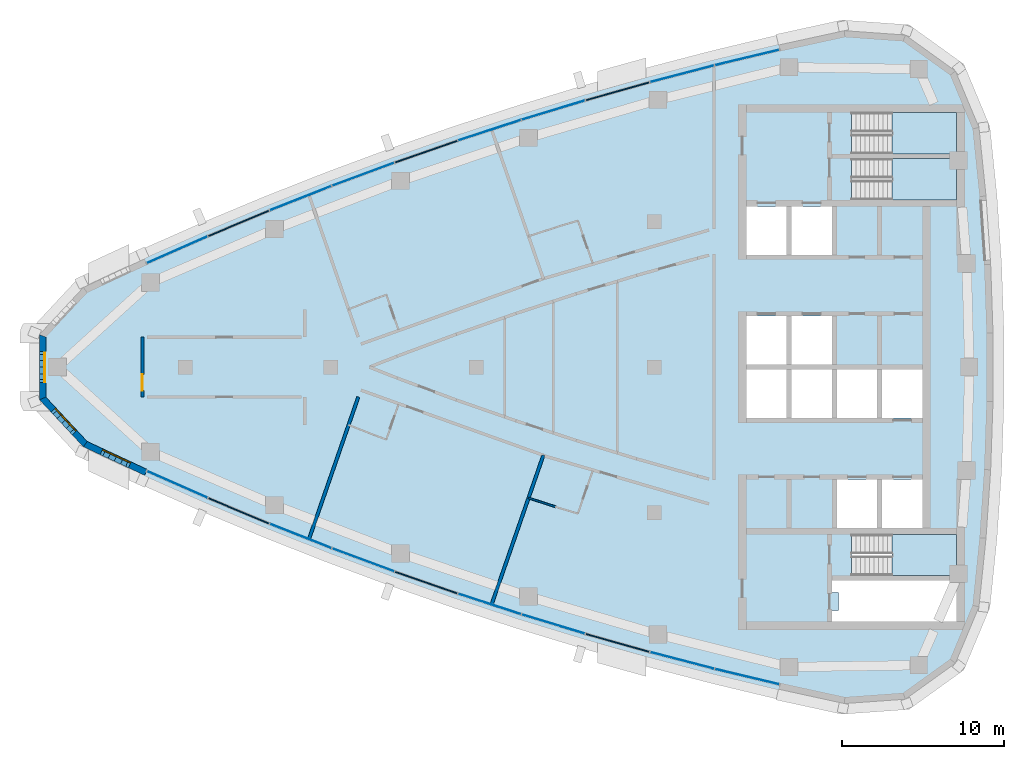
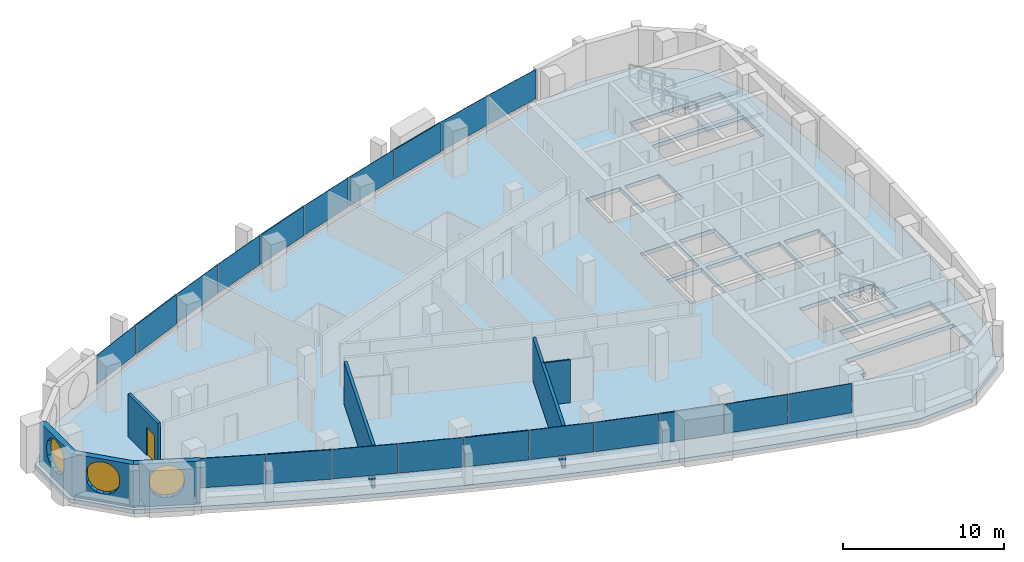
# One storey, part 6 of 13: 20 plates, 7 walls, 4 slabs, 3 windows, 1 door, 5 openings, 13 elements without a shape of their own.
"""IFC4 building model written with IfcOpenShell, lengths in metres."""

from ifc_helpers import new_model, si_unit, direction, frame, frame_2d, origin, origin_2d, place, context, subcontext, project, spatial, polyline, rectangle, outline, extrude, material, layer, layer_set, type_object, element, fill, aggregate, save


model = new_model("IFC4")

# Units and contexts
model_context = context("Model", 3, precision=1e-05, world=origin(), true_north=direction((0.0, 1.0)))
body_context = subcontext(model_context, "Body", "Model", "MODEL_VIEW")
ifc_project = project(units=[si_unit("LENGTHUNIT", "METRE"), si_unit("AREAUNIT", "SQUARE_METRE"), si_unit("VOLUMEUNIT", "CUBIC_METRE"), si_unit("PLANEANGLEUNIT", "RADIAN"), si_unit("MASSUNIT", "GRAM", prefix="KILO")], contexts=[model_context])

# Site, building, storey
site_placement = place(None, origin())
site = spatial("IfcSite", under=ifc_project, at=site_placement, CompositionType="ELEMENT")
building_placement = place(site_placement, origin())
building = spatial("IfcBuilding", under=site, at=building_placement, Name="Ostrand Prow Hotel Tower", CompositionType="ELEMENT")
storey_placement = place(building_placement, frame((0.0, 0.0, 282.10009765625)))
storey = spatial("IfcBuildingStorey", under=building, at=storey_placement, Name="L71", CompositionType="ELEMENT", Elevation=282.10009765625)

# Curtain wall, plate
ifc_material_1 = material(Name="Insulated glass in bronze anodised frame", Category="glass")
ifc_layer_1 = layer(ifc_material_1, 0.199951171875)
ifc_layer_set_1 = layer_set([ifc_layer_1], Name="Insulated glass in bronze anodised frame")
curtain_wall_type = type_object("IfcCurtainWallType", Name="Strip curtain wall, fritted glass over bronze spandrel", PredefinedType="NOTDEFINED", material=ifc_layer_set_1)
curtain_wall_1_placement = place(storey_placement, origin())
curtain_wall_1 = element("IfcCurtainWall", 1, at=curtain_wall_1_placement, inside=storey, type_object=curtain_wall_type, Name="CW1 run CWS1", PredefinedType="NOTDEFINED")
ifc_material_2 = material(Name="Ceramic-fritted glass", Category="glass")
ifc_layer_2 = layer(ifc_material_2, 0.031982421875)
ifc_layer_set_2 = layer_set([ifc_layer_2], Name="Ceramic-fritted glass")
plate_type_1 = type_object("IfcPlateType", Name="Dot-fritted ceramic glass unit 32 mm", PredefinedType="CURTAIN_PANEL", material=ifc_layer_set_2)
plate_1_placement = place(storey_placement, frame((15.493408203125, -7.259765625, 1.02001953125), z_axis=(0.0, 0.0, 1.0), x_axis=(0.914785615941, -0.403939694592, 0.0)))
plate_1 = element("IfcPlate", 2, at=plate_1_placement, type_object=plate_type_1, Name="CW1 PN-D panel 1.2", PredefinedType="CURTAIN_PANEL", context=body_context, shape_type="SweptSolid", body=[
    extrude(rectangle(XDim=4.079833984375, YDim=0.031982421875, at=origin_2d()), origin(), (0.0, 0.0, 1.0), 2.22998046875),
])

# Curtain wall, plates
curtain_wall_2_placement = place(storey_placement, origin())
curtain_wall_2 = element("IfcCurtainWall", 3, at=curtain_wall_2_placement, inside=storey, type_object=curtain_wall_type, Name="CW1 run CWS2", PredefinedType="NOTDEFINED")
plate_2_placement = place(storey_placement, frame((23.132568359375, -10.450927734375, 1.02001953125), z_axis=(0.0, 0.0, 1.0), x_axis=(0.930281895249, -0.366845465248, 0.0)))
plate_2 = element("IfcPlate", 4, at=plate_2_placement, type_object=plate_type_1, Name="CW1 PN-D panel 1.2", PredefinedType="CURTAIN_PANEL", context=body_context, shape_type="SweptSolid", body=[
    extrude(rectangle(XDim=4.079833984375, YDim=0.031982421875, at=origin_2d()), origin(), (0.0, 0.0, 1.0), 2.22998046875),
])
plate_3_placement = place(storey_placement, frame((26.99853515625, -11.930908203125, 1.02001953125), z_axis=(0.0, 0.0, 1.0), x_axis=(0.937468017947, -0.348071422738, 0.0)))
plate_3 = element("IfcPlate", 5, at=plate_3_placement, type_object=plate_type_1, Name="CW1 PN-D panel 2.2", PredefinedType="CURTAIN_PANEL", context=body_context, shape_type="SweptSolid", body=[
    extrude(rectangle(XDim=4.079833984375, YDim=0.031982421875, at=origin_2d()), origin(), (0.0, 0.0, 1.0), 2.22998046875),
])
aggregate(curtain_wall_2, [plate_2, plate_3])

# Curtain wall, plate
curtain_wall_3_placement = place(storey_placement, origin())
curtain_wall_3 = element("IfcCurtainWall", 6, at=curtain_wall_3_placement, inside=storey, type_object=curtain_wall_type, Name="CW1 run CWS3", PredefinedType="NOTDEFINED")
plate_4_placement = place(storey_placement, frame((34.81591796875, -14.65576171875, 1.02001953125), z_axis=(0.0, 0.0, 1.0), x_axis=(0.950700464612, -0.310110668289, 0.0)))
plate_4 = element("IfcPlate", 7, at=plate_4_placement, type_object=plate_type_1, Name="CW1 PN-D panel 2.2", PredefinedType="CURTAIN_PANEL", context=body_context, shape_type="SweptSolid", body=[
    extrude(rectangle(XDim=4.079833984375, YDim=0.031982421875, at=origin_2d()), origin(), (0.0, 0.0, 1.0), 2.22998046875),
])

curtain_wall_4_placement = place(storey_placement, origin())
curtain_wall_4 = element("IfcCurtainWall", 8, at=curtain_wall_4_placement, inside=storey, type_object=curtain_wall_type, Name="CW1 run CWS4", PredefinedType="NOTDEFINED")
plate_5_placement = place(storey_placement, frame((38.76416015625, -15.89990234375, 1.02001953125), z_axis=(0.0, 0.0, 1.0), x_axis=(0.956742015769, -0.290937648411, 0.0)))
plate_5 = element("IfcPlate", 9, at=plate_5_placement, type_object=plate_type_1, Name="CW1 PN-D panel 1.2", PredefinedType="CURTAIN_PANEL", context=body_context, shape_type="SweptSolid", body=[
    extrude(rectangle(XDim=4.079833984375, YDim=0.031982421875, at=origin_2d()), origin(), (0.0, 0.0, 1.0), 2.22998046875),
])

# Curtain wall, plates
curtain_wall_5_placement = place(storey_placement, origin())
curtain_wall_5 = element("IfcCurtainWall", 10, at=curtain_wall_5_placement, inside=storey, type_object=curtain_wall_type, Name="CW1 run CWS5", PredefinedType="NOTDEFINED")
plate_6_placement = place(storey_placement, frame((46.731689453125, -18.148681640625, 1.02001953125), z_axis=(0.0, 0.0, 1.0), x_axis=(0.967662519855, -0.252248384867, 0.0)))
plate_6 = element("IfcPlate", 11, at=plate_6_placement, type_object=plate_type_1, Name="CW1 PN-D panel 1.2", PredefinedType="CURTAIN_PANEL", context=body_context, shape_type="SweptSolid", body=[
    extrude(rectangle(XDim=4.079833984375, YDim=0.031982421875, at=origin_2d()), origin(), (0.0, 0.0, 1.0), 2.22998046875),
])
plate_7_placement = place(storey_placement, frame((50.74755859375, -19.152587890625, 1.02001953125), z_axis=(0.0, 0.0, 1.0), x_axis=(0.972537533869, -0.232746096028, 0.0)))
plate_7 = element("IfcPlate", 12, at=plate_7_placement, type_object=plate_type_1, Name="CW1 PN-D panel 2.2", PredefinedType="CURTAIN_PANEL", context=body_context, shape_type="SweptSolid", body=[
    extrude(rectangle(XDim=4.079833984375, YDim=0.031982421875, at=origin_2d()), origin(), (0.0, 0.0, 1.0), 2.22998046875),
])
aggregate(curtain_wall_5, [plate_6, plate_7])

curtain_wall_6_placement = place(storey_placement, origin())
curtain_wall_6 = element("IfcCurtainWall", 13, at=curtain_wall_6_placement, inside=storey, type_object=curtain_wall_type, Name="CW1 run CWN1", PredefinedType="NOTDEFINED")
plate_8_placement = place(storey_placement, frame((50.74755859375, 19.152587890625, 1.02001953125), z_axis=(0.0, 0.0, 1.0), x_axis=(-0.972537533869, -0.232746096028, 0.0)))
plate_8 = element("IfcPlate", 14, at=plate_8_placement, type_object=plate_type_1, Name="CW1 PN-D panel 1.2", PredefinedType="CURTAIN_PANEL", context=body_context, shape_type="SweptSolid", body=[
    extrude(rectangle(XDim=4.079833984375, YDim=0.031982421875, at=origin_2d()), origin(), (0.0, 0.0, 1.0), 2.22998046875),
])
plate_9_placement = place(storey_placement, frame((46.731689453125, 18.148681640625, 1.02001953125), z_axis=(0.0, 0.0, 1.0), x_axis=(-0.967662519855, -0.252248384867, 0.0)))
plate_9 = element("IfcPlate", 15, at=plate_9_placement, type_object=plate_type_1, Name="CW1 PN-D panel 2.2", PredefinedType="CURTAIN_PANEL", context=body_context, shape_type="SweptSolid", body=[
    extrude(rectangle(XDim=4.079833984375, YDim=0.031982421875, at=origin_2d()), origin(), (0.0, 0.0, 1.0), 2.22998046875),
])
aggregate(curtain_wall_6, [plate_8, plate_9])

# Curtain wall, plate
curtain_wall_7_placement = place(storey_placement, origin())
curtain_wall_7 = element("IfcCurtainWall", 16, at=curtain_wall_7_placement, inside=storey, type_object=curtain_wall_type, Name="CW1 run CWN2", PredefinedType="NOTDEFINED")
plate_10_placement = place(storey_placement, frame((38.76416015625, 15.89990234375, 1.02001953125), z_axis=(0.0, 0.0, 1.0), x_axis=(-0.956742015769, -0.290937648411, 0.0)))
plate_10 = element("IfcPlate", 17, at=plate_10_placement, type_object=plate_type_1, Name="CW1 PN-D panel 2.2", PredefinedType="CURTAIN_PANEL", context=body_context, shape_type="SweptSolid", body=[
    extrude(rectangle(XDim=4.079833984375, YDim=0.031982421875, at=origin_2d()), origin(), (0.0, 0.0, 1.0), 2.22998046875),
])

curtain_wall_8_placement = place(storey_placement, origin())
curtain_wall_8 = element("IfcCurtainWall", 18, at=curtain_wall_8_placement, inside=storey, type_object=curtain_wall_type, Name="CW1 run CWN3", PredefinedType="NOTDEFINED")
plate_11_placement = place(storey_placement, frame((34.81591796875, 14.65576171875, 1.02001953125), z_axis=(0.0, 0.0, 1.0), x_axis=(-0.950700464612, -0.310110668289, 0.0)))
plate_11 = element("IfcPlate", 19, at=plate_11_placement, type_object=plate_type_1, Name="CW1 PN-D panel 1.2", PredefinedType="CURTAIN_PANEL", context=body_context, shape_type="SweptSolid", body=[
    extrude(rectangle(XDim=4.079833984375, YDim=0.031982421875, at=origin_2d()), origin(), (0.0, 0.0, 1.0), 2.22998046875),
])

# Curtain wall, plates
curtain_wall_9_placement = place(storey_placement, origin())
curtain_wall_9 = element("IfcCurtainWall", 20, at=curtain_wall_9_placement, inside=storey, type_object=curtain_wall_type, Name="CW1 run CWN4", PredefinedType="NOTDEFINED")
plate_12_placement = place(storey_placement, frame((26.99853515625, 11.930908203125, 1.02001953125), z_axis=(0.0, 0.0, 1.0), x_axis=(-0.937468017947, -0.348071422738, 0.0)))
plate_12 = element("IfcPlate", 21, at=plate_12_placement, type_object=plate_type_1, Name="CW1 PN-D panel 1.2", PredefinedType="CURTAIN_PANEL", context=body_context, shape_type="SweptSolid", body=[
    extrude(rectangle(XDim=4.079833984375, YDim=0.031982421875, at=origin_2d()), origin(), (0.0, 0.0, 1.0), 2.22998046875),
])
plate_13_placement = place(storey_placement, frame((23.132568359375, 10.450927734375, 1.02001953125), z_axis=(0.0, 0.0, 1.0), x_axis=(-0.930281895249, -0.366845465248, 0.0)))
plate_13 = element("IfcPlate", 22, at=plate_13_placement, type_object=plate_type_1, Name="CW1 PN-D panel 2.2", PredefinedType="CURTAIN_PANEL", context=body_context, shape_type="SweptSolid", body=[
    extrude(rectangle(XDim=4.079833984375, YDim=0.031982421875, at=origin_2d()), origin(), (0.0, 0.0, 1.0), 2.22998046875),
])
aggregate(curtain_wall_9, [plate_12, plate_13])

# Curtain wall, plate
curtain_wall_10_placement = place(storey_placement, origin())
curtain_wall_10 = element("IfcCurtainWall", 23, at=curtain_wall_10_placement, inside=storey, type_object=curtain_wall_type, Name="CW1 run CWN5", PredefinedType="NOTDEFINED")
plate_14_placement = place(storey_placement, frame((15.493408203125, 7.259765625, 1.02001953125), z_axis=(0.0, 0.0, 1.0), x_axis=(-0.914785615941, -0.403939694592, 0.0)))
plate_14 = element("IfcPlate", 24, at=plate_14_placement, type_object=plate_type_1, Name="CW1 PN-D panel 2.2", PredefinedType="CURTAIN_PANEL", context=body_context, shape_type="SweptSolid", body=[
    extrude(rectangle(XDim=4.079833984375, YDim=0.031982421875, at=origin_2d()), origin(), (0.0, 0.0, 1.0), 2.22998046875),
])

# Plate
ifc_material_3 = material(Name="Fritted glass in bronze vent frame", Category="glass")
ifc_layer_3 = layer(ifc_material_3, 0.080078125)
ifc_layer_set_3 = layer_set([ifc_layer_3], Name="Fritted glass in bronze vent frame")
plate_type_2 = type_object("IfcPlateType", Name="Operable vent panel 80 mm", PredefinedType="CURTAIN_PANEL", material=ifc_layer_set_3)
plate_15_placement = place(storey_placement, frame((19.297119140625, -8.893798828125, 1.02001953125), z_axis=(0.0, 0.0, 1.0), x_axis=(0.922719840955, -0.385471263659, 0.0)))
plate_15 = element("IfcPlate", 25, at=plate_15_placement, type_object=plate_type_2, Name="CW1 PN-O2 panel 2.2", PredefinedType="CURTAIN_PANEL", context=body_context, shape_type="SweptSolid", body=[
    extrude(rectangle(XDim=4.079833984375, YDim=0.080078125, at=origin_2d()), origin(), (0.0, 0.0, 1.0), 2.22998046875),
])

aggregate(curtain_wall_1, [plate_1, plate_15])

plate_16_placement = place(storey_placement, frame((30.8935546875, -13.33251953125, 1.02001953125), z_axis=(0.0, 0.0, 1.0), x_axis=(0.944274730614, -0.329158370885, 0.0)))
plate_16 = element("IfcPlate", 26, at=plate_16_placement, type_object=plate_type_2, Name="CW1 PN-O2 panel 1.2", PredefinedType="CURTAIN_PANEL", context=body_context, shape_type="SweptSolid", body=[
    extrude(rectangle(XDim=4.079833984375, YDim=0.080078125, at=origin_2d()), origin(), (0.0, 0.0, 1.0), 2.22998046875),
])

aggregate(curtain_wall_3, [plate_16, plate_4])

plate_17_placement = place(storey_placement, frame((42.736572265625, -17.064453125, 1.02001953125), z_axis=(0.0, 0.0, 1.0), x_axis=(0.962396468548, -0.271648738865, 0.0)))
plate_17 = element("IfcPlate", 27, at=plate_17_placement, type_object=plate_type_2, Name="CW1 PN-O2 panel 2.2", PredefinedType="CURTAIN_PANEL", context=body_context, shape_type="SweptSolid", body=[
    extrude(rectangle(XDim=4.079833984375, YDim=0.080078125, at=origin_2d()), origin(), (0.0, 0.0, 1.0), 2.22998046875),
])

aggregate(curtain_wall_4, [plate_5, plate_17])

plate_18_placement = place(storey_placement, frame((42.736572265625, 17.064453125, 1.02001953125), z_axis=(0.0, 0.0, 1.0), x_axis=(-0.962396468548, -0.271648738865, 0.0)))
plate_18 = element("IfcPlate", 28, at=plate_18_placement, type_object=plate_type_2, Name="CW1 PN-O2 panel 1.2", PredefinedType="CURTAIN_PANEL", context=body_context, shape_type="SweptSolid", body=[
    extrude(rectangle(XDim=4.079833984375, YDim=0.080078125, at=origin_2d()), origin(), (0.0, 0.0, 1.0), 2.22998046875),
])

aggregate(curtain_wall_7, [plate_18, plate_10])

plate_19_placement = place(storey_placement, frame((30.8935546875, 13.33251953125, 1.02001953125), z_axis=(0.0, 0.0, 1.0), x_axis=(-0.944274730614, -0.329158370885, 0.0)))
plate_19 = element("IfcPlate", 29, at=plate_19_placement, type_object=plate_type_2, Name="CW1 PN-O2 panel 2.2", PredefinedType="CURTAIN_PANEL", context=body_context, shape_type="SweptSolid", body=[
    extrude(rectangle(XDim=4.079833984375, YDim=0.080078125, at=origin_2d()), origin(), (0.0, 0.0, 1.0), 2.22998046875),
])

aggregate(curtain_wall_8, [plate_11, plate_19])

plate_20_placement = place(storey_placement, frame((19.297119140625, 8.893798828125, 1.02001953125), z_axis=(0.0, 0.0, 1.0), x_axis=(-0.922719840955, -0.385471263659, 0.0)))
plate_20 = element("IfcPlate", 30, at=plate_20_placement, type_object=plate_type_2, Name="CW1 PN-O2 panel 1.2", PredefinedType="CURTAIN_PANEL", context=body_context, shape_type="SweptSolid", body=[
    extrude(rectangle(XDim=4.079833984375, YDim=0.080078125, at=origin_2d()), origin(), (0.0, 0.0, 1.0), 2.22998046875),
])

aggregate(curtain_wall_10, [plate_20, plate_14])

# Slab, opening
ifc_material_4 = material(Name="Concrete C40/50", Category="concrete")
ifc_layer_4 = layer(ifc_material_4, 0.300048828125)
ifc_layer_set_4 = layer_set([ifc_layer_4], Name="Concrete C40/50")
slab_type_1 = type_object("IfcSlabType", Name="PT flat plate 300 C40/50", PredefinedType="FLOOR", material=ifc_layer_set_4)
slab_1_placement = place(storey_placement, frame((0.0, 0.0, -0.300048828125)))
slab_1 = element("IfcSlab", 31, at=slab_1_placement, inside=storey, type_object=slab_type_1, Name="Floor slab L71-1", PredefinedType="FLOOR", context=body_context, shape_type="SweptSolid", body=[
    extrude(outline(polyline([(9.560791015625, 5.168212890625), (13.365478515625, 6.9404296875), (17.1630859375, 8.6171875), (20.993408203125, 10.21728515625), (24.855224609375, 11.740234375), (28.746826171875, 13.185302734375), (32.666748046875, 14.551513671875), (36.61328125, 15.8388671875), (40.5849609375, 17.046630859375), (44.580078125, 18.17431640625), (48.596923828125, 19.221435546875), (52.634033203125, 20.187744140625), (56.72265625, 21.07958984375), (60.634765625, 20.80029296875), (63.84765625, 18.49072265625), (65.35888671875, 14.87060546875), (65.796875, 10.611083984375), (66.0869140625, 6.37158203125), (66.23193359375, 2.124755859375), (66.23193359375, -2.124755859375), (66.0869140625, -6.37158203125), (65.796875, -10.611083984375), (65.35888671875, -14.87060546875), (63.84765625, -18.49072265625), (60.634765625, -20.80029296875), (56.72265625, -21.07958984375), (52.634033203125, -20.187744140625), (48.596923828125, -19.221435546875), (44.580078125, -18.17431640625), (40.5849609375, -17.046630859375), (36.61328125, -15.8388671875), (32.666748046875, -14.551513671875), (28.746826171875, -13.185302734375), (24.855224609375, -11.740234375), (20.993408203125, -10.21728515625), (17.1630859375, -8.6171875), (13.365478515625, -6.9404296875), (9.560791015625, -5.168212890625), (6.71484375, -2.112548828125), (6.71484375, 2.112548828125), (9.560791015625, 5.168212890625)]), holes=[polyline([(50.699951171875, 6.949951171875), (53.199951171875, 6.949951171875), (53.199951171875, 9.949951171875), (50.699951171875, 9.949951171875), (50.699951171875, 6.949951171875)]), polyline([(53.5, 6.949951171875), (56.0, 6.949951171875), (56.0, 9.949951171875), (53.5, 9.949951171875), (53.5, 6.949951171875)]), polyline([(50.699951171875, 0.14990234375), (53.199951171875, 0.14990234375), (53.199951171875, 3.14990234375), (50.699951171875, 3.14990234375), (50.699951171875, 0.14990234375)]), polyline([(53.5, 0.14990234375), (56.0, 0.14990234375), (56.0, 3.14990234375), (53.5, 3.14990234375), (53.5, 0.14990234375)]), polyline([(50.699951171875, -3.14990234375), (53.199951171875, -3.14990234375), (53.199951171875, -0.14990234375), (50.699951171875, -0.14990234375), (50.699951171875, -3.14990234375)]), polyline([(53.5, -3.14990234375), (56.0, -3.14990234375), (56.0, -0.14990234375), (53.5, -0.14990234375), (53.5, -3.14990234375)]), polyline([(56.300048828125, -3.14990234375), (58.800048828125, -3.14990234375), (58.800048828125, -0.14990234375), (56.300048828125, -0.14990234375), (56.300048828125, -3.14990234375)]), polyline([(59.10009765625, -3.14990234375), (61.60009765625, -3.14990234375), (61.60009765625, -0.14990234375), (59.10009765625, -0.14990234375), (59.10009765625, -3.14990234375)]), polyline([(56.300048828125, -9.949951171875), (58.800048828125, -9.949951171875), (58.800048828125, -6.949951171875), (56.300048828125, -6.949951171875), (56.300048828125, -9.949951171875)]), polyline([(59.10009765625, -9.949951171875), (61.60009765625, -9.949951171875), (61.60009765625, -6.949951171875), (59.10009765625, -6.949951171875), (59.10009765625, -9.949951171875)]), polyline([(57.200927734375, 10.35107421875), (57.200927734375, 12.89892578125), (63.718994140625, 12.89892578125), (63.718994140625, 10.35107421875), (57.200927734375, 10.35107421875)]), polyline([(57.200927734375, 13.200927734375), (57.200927734375, 15.7490234375), (63.718994140625, 15.7490234375), (63.718994140625, 13.200927734375), (57.200927734375, 13.200927734375)]), polyline([(57.200927734375, -12.89892578125), (57.200927734375, -10.35107421875), (63.718994140625, -10.35107421875), (63.718994140625, -12.89892578125), (57.200927734375, -12.89892578125)]), polyline([(56.0, -13.949951171875), (56.0, -13.199951171875), (63.719970703125, -13.199951171875), (63.719970703125, -15.75), (56.0, -15.75), (56.0, -15.050048828125), (56.39990234375, -15.050048828125), (56.39990234375, -13.949951171875), (56.0, -13.949951171875)])]), origin(), (0.0, 0.0, 1.0), 0.300048828125),
])
opening_1_placement = place(slab_1_placement, origin())
element("IfcOpeningElement", 32, at=opening_1_placement, cuts=slab_1, Name="Shaft opening 1", PredefinedType="OPENING", context=body_context, shape_type="SweptSolid", body=[
    extrude(outline(polyline([(56.0, -13.949951171875), (56.0, -13.199951171875), (63.719970703125, -13.199951171875), (63.719970703125, -15.75), (56.0, -15.75), (56.0, -15.050048828125), (56.39990234375, -15.050048828125), (56.39990234375, -13.949951171875), (56.0, -13.949951171875)])), origin(), (0.0, 0.0, 1.0), 0.300048828125),
])

# Stair, slab
ifc_material_5 = material(Name="Concrete C40/50", Category="concrete")
stair_type = type_object("IfcStairType", Name="Exit stair 1200 upper zone", PredefinedType="HALF_TURN_STAIR", material=ifc_material_5)
stair_1_placement = place(storey_placement, origin())
stair_1 = element("IfcStair", 33, at=stair_1_placement, inside=storey, type_object=stair_type, Name="L71 ST1C", PredefinedType="HALF_TURN_STAIR")
ifc_material_6 = material(Name="Concrete C40/50", Category="concrete")
ifc_layer_5 = layer(ifc_material_6, 0.199951171875)
ifc_layer_set_5 = layer_set([ifc_layer_5], Name="Concrete C40/50")
slab_type_2 = type_object("IfcSlabType", Name="Stair landing 200 concrete", PredefinedType="LANDING", material=ifc_layer_set_5)
slab_2_placement = place(storey_placement, frame((0.0, 0.0, 1.574951171875)))
slab_2 = element("IfcSlab", 34, at=slab_2_placement, type_object=slab_type_2, Name="ST1C landing 1", PredefinedType="LANDING", context=body_context, shape_type="SweptSolid", body=[
    extrude(outline(polyline([(59.719970703125, 10.35009765625), (63.719970703125, 10.35009765625), (63.719970703125, 12.89990234375), (59.719970703125, 12.89990234375), (59.719970703125, 10.35009765625)])), origin(), (0.0, 0.0, 1.0), 0.199951171875),
])
aggregate(stair_1, [slab_2])

stair_2_placement = place(storey_placement, origin())
stair_2 = element("IfcStair", 35, at=stair_2_placement, inside=storey, type_object=stair_type, Name="L71 ST3C", PredefinedType="HALF_TURN_STAIR")
slab_3_placement = place(storey_placement, frame((0.0, 0.0, 1.574951171875)))
slab_3 = element("IfcSlab", 36, at=slab_3_placement, type_object=slab_type_2, Name="ST3C landing 1", PredefinedType="LANDING", context=body_context, shape_type="SweptSolid", body=[
    extrude(outline(polyline([(59.719970703125, 13.199951171875), (63.719970703125, 13.199951171875), (63.719970703125, 15.75), (59.719970703125, 15.75), (59.719970703125, 13.199951171875)])), origin(), (0.0, 0.0, 1.0), 0.199951171875),
])
aggregate(stair_2, [slab_3])

stair_3_placement = place(storey_placement, origin())
stair_3 = element("IfcStair", 37, at=stair_3_placement, inside=storey, type_object=stair_type, Name="L71 ST2C", PredefinedType="HALF_TURN_STAIR")
slab_4_placement = place(storey_placement, frame((0.0, 0.0, 1.574951171875)))
slab_4 = element("IfcSlab", 38, at=slab_4_placement, type_object=slab_type_2, Name="ST2C landing 1", PredefinedType="LANDING", context=body_context, shape_type="SweptSolid", body=[
    extrude(outline(polyline([(59.719970703125, -12.89990234375), (63.719970703125, -12.89990234375), (63.719970703125, -10.35009765625), (59.719970703125, -10.35009765625), (59.719970703125, -12.89990234375)])), origin(), (0.0, 0.0, 1.0), 0.199951171875),
])
aggregate(stair_3, [slab_4])

# Walls
ifc_material_7 = material(Name="Plasterboard partition")
ifc_layer_6 = layer(ifc_material_7, 0.10009765625)
ifc_layer_set_6 = layer_set([ifc_layer_6], Name="Plasterboard partition")
wall_type_1 = type_object("IfcWallType", Name="Partition 100 bathroom wall", PredefinedType="PARTITIONING", material=ifc_layer_set_6)
wall_1_placement = place(storey_placement, frame((38.88232421875, -8.6376953125, 0.0), z_axis=(0.0, 0.0, 1.0), x_axis=(-0.950684866901, 0.31015848182, 0.0)))
element("IfcWall", 39, at=wall_1_placement, inside=storey, type_object=wall_type_1, Name="BATHROOM WALL", PredefinedType="PARTITIONING", context=body_context, shape_type="SweptSolid", body=[
    extrude(rectangle(XDim=1.739501953125, YDim=0.10009765625, at=frame_2d((0.86962890625, 0.0))), origin(), (0.0, 0.0, 1.0), 3.25),
])
ifc_material_8 = material(Name="Plasterboard partition")
ifc_layer_7 = layer(ifc_material_8, 0.199951171875)
ifc_layer_set_7 = layer_set([ifc_layer_7], Name="Plasterboard partition")
wall_type_2 = type_object("IfcWallType", Name="Partition 200 key partition", PredefinedType="PARTITIONING", material=ifc_layer_set_7)
wall_2_placement = place(storey_placement, frame((23.66845703125, -10.573486328125, 0.0), z_axis=(0.0, 0.0, 1.0), x_axis=(0.327714422317, 0.944776829418, 0.0)))
element("IfcWall", 40, at=wall_2_placement, inside=storey, type_object=wall_type_2, Name="KEY PARTITION", PredefinedType="PARTITIONING", context=body_context, shape_type="SweptSolid", body=[
    extrude(rectangle(XDim=9.2333984375, YDim=0.199951171875, at=frame_2d((4.61669921875, 0.0))), origin(), (0.0, 0.0, 1.0), 3.25),
])
wall_3_placement = place(storey_placement, frame((34.966796875, -14.6181640625, 0.0), z_axis=(0.0, 0.0, 1.0), x_axis=(0.327725028322, 0.94477315045, 0.0)))
element("IfcWall", 41, at=wall_3_placement, inside=storey, type_object=wall_type_2, Name="KEY PARTITION", PredefinedType="PARTITIONING", context=body_context, shape_type="SweptSolid", body=[
    extrude(rectangle(XDim=9.70166015625, YDim=0.199951171875, at=frame_2d((4.850830078125, 0.0))), origin(), (0.0, 0.0, 1.0), 3.25),
])

# Wall, opening, door
ifc_material_9 = material(Name="Plasterboard partition")
ifc_layer_8 = layer(ifc_material_9, 0.199951171875)
ifc_layer_set_8 = layer_set([ifc_layer_8], Name="Plasterboard partition")
wall_type_3 = type_object("IfcWallType", Name="Partition 200 lounge wall", PredefinedType="PARTITIONING", material=ifc_layer_set_8)
wall_4_placement = place(storey_placement, frame((13.337158203125, -1.85009765625, 0.0), z_axis=(0.0, 0.0, 1.0), x_axis=(0.0, 1.0, 0.0)))
wall_4 = element("IfcWall", 42, at=wall_4_placement, inside=storey, type_object=wall_type_3, Name="LOUNGE WALL", PredefinedType="PARTITIONING", context=body_context, shape_type="SweptSolid", body=[
    extrude(rectangle(XDim=3.7001953125, YDim=0.199951171875, at=frame_2d((1.85009765625, 0.0))), origin(), (0.0, 0.0, 1.0), 3.25),
])
opening_2_placement = place(wall_4_placement, frame((0.39990234375, 0.0, 0.0)))
opening_2 = element("IfcOpeningElement", 43, at=opening_2_placement, cuts=wall_4, Name="Opening D1", PredefinedType="OPENING", context=body_context, shape_type="SweptSolid", body=[
    extrude(rectangle(XDim=1.0, YDim=2.10009765625, at=frame_2d((0.5, 1.050048828125))), frame((0.0, 0.10986328125, 0.0), z_axis=(0.0, -1.0, 0.0), x_axis=(1.0, 0.0, 0.0)), (0.0, 0.0, 1.0), 0.219970703125),
])
ifc_material_10 = material(Name="Timber door leaf", Category="wood")
door_type = type_object("IfcDoorType", Name="Guest room door 1000", OperationType="SINGLE_SWING_LEFT", PredefinedType="DOOR", material=ifc_material_10)
door_placement = place(opening_2_placement, origin())
door = element("IfcDoor", 44, at=door_placement, inside=storey, type_object=door_type, Name="DOOR", OperationType="SINGLE_SWING_LEFT", OverallHeight=2.10009765625, OverallWidth=1.0, PredefinedType="DOOR", context=body_context, shape_type="SweptSolid", body=[
    extrude(rectangle(XDim=1.0, YDim=2.10009765625, at=frame_2d((0.5, 1.050048828125))), frame((0.0, 0.02490234375, 0.0), z_axis=(0.0, -1.0, 0.0), x_axis=(1.0, 0.0, 0.0)), (0.0, 0.0, 1.0), 0.050048828125),
])
fill(opening_2, door)

# Wall, opening, window
ifc_material_11 = material(Name="Precast concrete C40/50", Category="concrete")
ifc_layer_9 = layer(ifc_material_11, 0.39990234375)
ifc_layer_set_9 = layer_set([ifc_layer_9], Name="Precast concrete C40/50")
wall_type_4 = type_object("IfcWallType", Name="Stone-faced precast wall 400 mm", PredefinedType="NOTDEFINED", material=ifc_layer_set_9)
wall_5_placement = place(storey_placement, frame((7.167236328125, 1.9345703125, 0.0), z_axis=(0.0, 0.0, 1.0), x_axis=(0.0, -1.0, 0.0)))
wall_5 = element("IfcWall", 45, at=wall_5_placement, inside=storey, type_object=wall_type_4, Name="Stone-faced wall prow 3", PredefinedType="NOTDEFINED", context=body_context, shape_type="SweptSolid", body=[
    extrude(outline(polyline([(-0.07861328125, -0.199951171875), (3.94775390625, -0.199951171875), (3.79052734375, 0.199951171875), (0.07861328125, 0.199951171875), (-0.07861328125, -0.199951171875)])), origin(), (0.0, 0.0, 1.0), 3.25),
])
opening_3_placement = place(wall_5_placement, frame((0.834716796875, 0.0, 0.60009765625)))
opening_3 = element("IfcOpeningElement", 46, at=opening_3_placement, cuts=wall_5, Name="Opening WP1", PredefinedType="OPENING", context=body_context, shape_type="SweptSolid", body=[
    extrude(outline(polyline([(0.0, 1.35009765625), (0.083740234375, 1.77099609375), (0.322265625, 2.127685546875), (0.678955078125, 2.3662109375), (1.10009765625, 2.449951171875), (1.52099609375, 2.3662109375), (1.877685546875, 2.127685546875), (2.1162109375, 1.77099609375), (2.199951171875, 1.35009765625), (2.199951171875, 1.10009765625), (2.1162109375, 0.678955078125), (1.877685546875, 0.322265625), (1.52099609375, 0.083740234375), (1.10009765625, 0.0), (0.678955078125, 0.083740234375), (0.322265625, 0.322265625), (0.083740234375, 0.678955078125), (0.0, 1.099853515625), (0.0, 1.35009765625)])), frame((0.0, 0.2099609375, 0.0), z_axis=(0.0, -1.0, 0.0), x_axis=(1.0, 0.0, 0.0)), (0.0, 0.0, 1.0), 0.419921875),
])
ifc_material_12 = material(Name="Insulated glass in bronze frame", Category="glass")
window_type = type_object("IfcWindowType", Name="Round-ended prow window 2200x2450", PartitioningType="SINGLE_PANEL", PredefinedType="WINDOW", material=ifc_material_12)
window_1_placement = place(opening_3_placement, origin())
window_1 = element("IfcWindow", 47, at=window_1_placement, inside=storey, type_object=window_type, Name="Window prow 3.1", OverallHeight=2.449951171875, OverallWidth=2.199951171875, PartitioningType="SINGLE_PANEL", PredefinedType="WINDOW", context=body_context, shape_type="SweptSolid", body=[
    extrude(outline(polyline([(0.0, 1.35009765625), (0.083740234375, 1.77099609375), (0.322265625, 2.127685546875), (0.678955078125, 2.3662109375), (1.10009765625, 2.449951171875), (1.52099609375, 2.3662109375), (1.877685546875, 2.127685546875), (2.1162109375, 1.77099609375), (2.199951171875, 1.35009765625), (2.199951171875, 1.10009765625), (2.1162109375, 0.678955078125), (1.877685546875, 0.322265625), (1.52099609375, 0.083740234375), (1.10009765625, 0.0), (0.678955078125, 0.083740234375), (0.322265625, 0.322265625), (0.083740234375, 0.678955078125), (0.0, 1.099853515625), (0.0, 1.35009765625)])), frame((0.0, 0.169921875, 0.0), z_axis=(0.0, -1.0, 0.0), x_axis=(1.0, 0.0, 0.0)), (0.0, 0.0, 1.0), 0.06005859375),
])
fill(opening_3, window_1)

wall_6_placement = place(storey_placement, frame((7.167236328125, -1.9345703125, 0.0), z_axis=(0.0, 0.0, 1.0), x_axis=(0.6815467277, -0.73177459505, 0.0)))
wall_6 = element("IfcWall", 48, at=wall_6_placement, inside=storey, type_object=wall_type_4, Name="Stone-faced wall prow 4", PredefinedType="NOTDEFINED", context=body_context, shape_type="SweptSolid", body=[
    extrude(outline(polyline([(-0.07861328125, -0.199951171875), (3.908203125, -0.199951171875), (3.830078125, 0.199951171875), (0.07861328125, 0.199951171875), (-0.07861328125, -0.199951171875)])), origin(), (0.0, 0.0, 1.0), 3.25),
])
opening_4_placement = place(wall_6_placement, frame((0.834716796875, 0.0, 0.60009765625)))
opening_4 = element("IfcOpeningElement", 49, at=opening_4_placement, cuts=wall_6, Name="Opening WP1", PredefinedType="OPENING", context=body_context, shape_type="SweptSolid", body=[
    extrude(outline(polyline([(0.0, 1.35009765625), (0.083740234375, 1.77099609375), (0.322265625, 2.127685546875), (0.678955078125, 2.3662109375), (1.10009765625, 2.449951171875), (1.52099609375, 2.3662109375), (1.877685546875, 2.127685546875), (2.1162109375, 1.77099609375), (2.199951171875, 1.35009765625), (2.199951171875, 1.10009765625), (2.1162109375, 0.678955078125), (1.877685546875, 0.322265625), (1.52099609375, 0.083740234375), (1.10009765625, 0.0), (0.678955078125, 0.083740234375), (0.322265625, 0.322265625), (0.083740234375, 0.678955078125), (0.0, 1.099853515625), (0.0, 1.35009765625)])), frame((0.0, 0.2099609375, 0.0), z_axis=(0.0, -1.0, 0.0), x_axis=(1.0, 0.0, 0.0)), (0.0, 0.0, 1.0), 0.419921875),
])
window_2_placement = place(opening_4_placement, origin())
window_2 = element("IfcWindow", 50, at=window_2_placement, inside=storey, type_object=window_type, Name="Window prow 4.1", OverallHeight=2.449951171875, OverallWidth=2.199951171875, PartitioningType="SINGLE_PANEL", PredefinedType="WINDOW", context=body_context, shape_type="SweptSolid", body=[
    extrude(outline(polyline([(0.0, 1.35009765625), (0.083740234375, 1.77099609375), (0.322265625, 2.127685546875), (0.678955078125, 2.3662109375), (1.10009765625, 2.449951171875), (1.52099609375, 2.3662109375), (1.877685546875, 2.127685546875), (2.1162109375, 1.77099609375), (2.199951171875, 1.35009765625), (2.199951171875, 1.10009765625), (2.1162109375, 0.678955078125), (1.877685546875, 0.322265625), (1.52099609375, 0.083740234375), (1.10009765625, 0.0), (0.678955078125, 0.083740234375), (0.322265625, 0.322265625), (0.083740234375, 0.678955078125), (0.0, 1.099853515625), (0.0, 1.35009765625)])), frame((0.0, 0.169921875, 0.0), z_axis=(0.0, -1.0, 0.0), x_axis=(1.0, 0.0, 0.0)), (0.0, 0.0, 1.0), 0.06005859375),
])
fill(opening_4, window_2)

wall_7_placement = place(storey_placement, frame((9.80419921875, -4.765869140625, 0.0), z_axis=(0.0, 0.0, 1.0), x_axis=(0.906485602396, -0.42223672584, 0.0)))
wall_7 = element("IfcWall", 51, at=wall_7_placement, inside=storey, type_object=wall_type_4, Name="Stone-faced wall prow 5", PredefinedType="NOTDEFINED", context=body_context, shape_type="SweptSolid", body=[
    extrude(outline(polyline([(-0.0390625, -0.199951171875), (4.1416015625, -0.199951171875), (4.1416015625, 0.199951171875), (0.0390625, 0.199951171875), (-0.0390625, -0.199951171875)])), origin(), (0.0, 0.0, 1.0), 3.25),
])
opening_5_placement = place(wall_7_placement, frame((0.970947265625, 0.0, 0.60009765625)))
opening_5 = element("IfcOpeningElement", 52, at=opening_5_placement, cuts=wall_7, Name="Opening WP1", PredefinedType="OPENING", context=body_context, shape_type="SweptSolid", body=[
    extrude(outline(polyline([(0.0, 1.35009765625), (0.083740234375, 1.77099609375), (0.322265625, 2.127685546875), (0.678955078125, 2.3662109375), (1.10009765625, 2.449951171875), (1.52099609375, 2.3662109375), (1.877685546875, 2.127685546875), (2.1162109375, 1.77099609375), (2.199951171875, 1.35009765625), (2.199951171875, 1.10009765625), (2.1162109375, 0.678955078125), (1.877685546875, 0.322265625), (1.52099609375, 0.083740234375), (1.10009765625, 0.0), (0.678955078125, 0.083740234375), (0.322265625, 0.322265625), (0.083740234375, 0.678955078125), (0.0, 1.099853515625), (0.0, 1.35009765625)])), frame((0.0, 0.2099609375, 0.0), z_axis=(0.0, -1.0, 0.0), x_axis=(1.0, 0.0, 0.0)), (0.0, 0.0, 1.0), 0.419921875),
])
window_3_placement = place(opening_5_placement, origin())
window_3 = element("IfcWindow", 53, at=window_3_placement, inside=storey, type_object=window_type, Name="Window prow 5.1", OverallHeight=2.449951171875, OverallWidth=2.199951171875, PartitioningType="SINGLE_PANEL", PredefinedType="WINDOW", context=body_context, shape_type="SweptSolid", body=[
    extrude(outline(polyline([(0.0, 1.35009765625), (0.083740234375, 1.77099609375), (0.322265625, 2.127685546875), (0.678955078125, 2.3662109375), (1.10009765625, 2.449951171875), (1.52099609375, 2.3662109375), (1.877685546875, 2.127685546875), (2.1162109375, 1.77099609375), (2.199951171875, 1.35009765625), (2.199951171875, 1.10009765625), (2.1162109375, 0.678955078125), (1.877685546875, 0.322265625), (1.52099609375, 0.083740234375), (1.10009765625, 0.0), (0.678955078125, 0.083740234375), (0.322265625, 0.322265625), (0.083740234375, 0.678955078125), (0.0, 1.099853515625), (0.0, 1.35009765625)])), frame((0.0, 0.169921875, 0.0), z_axis=(0.0, -1.0, 0.0), x_axis=(1.0, 0.0, 0.0)), (0.0, 0.0, 1.0), 0.06005859375),
])
fill(opening_5, window_3)

save(model, "model.ifc")
